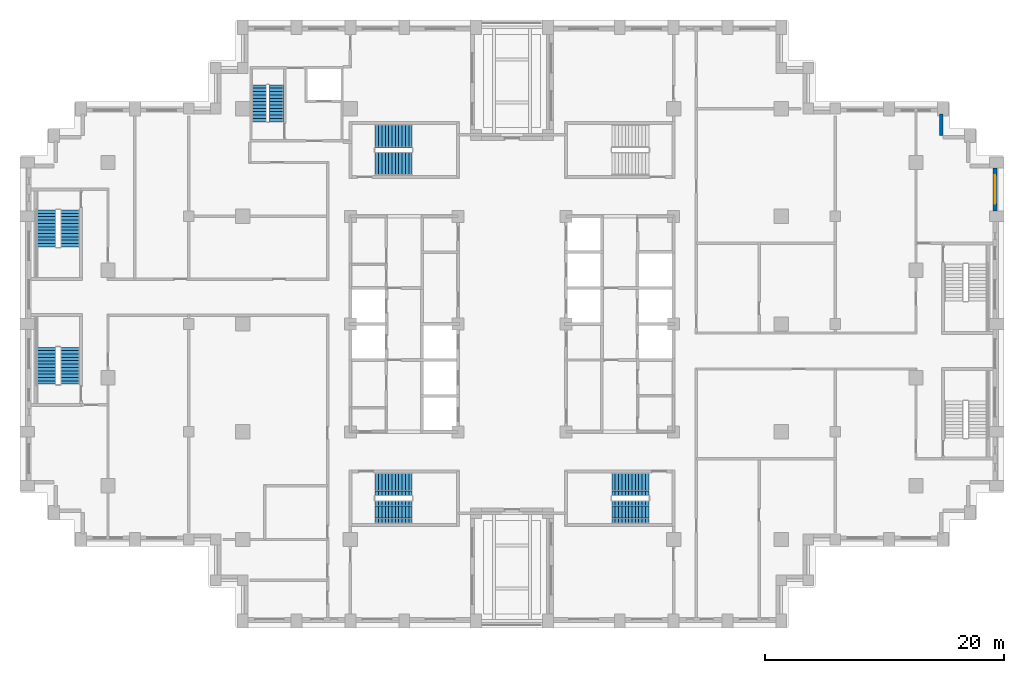
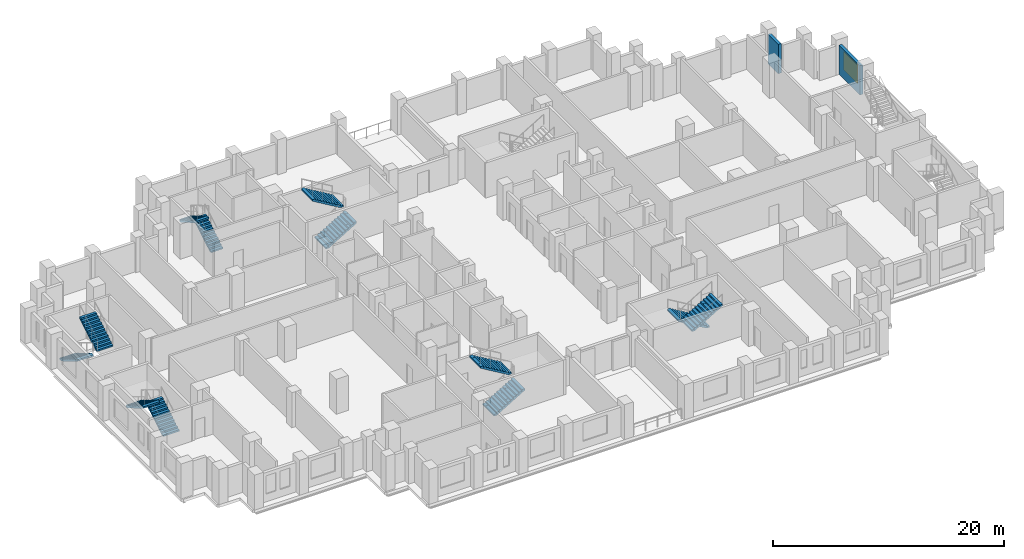
# One storey, part 10 of 13: 12 stair flights, 2 walls, 1 window, 1 opening, 6 elements without a shape of their own.
"""IFC4 building model written with IfcOpenShell, lengths in metres."""

from ifc_helpers import new_model, si_unit, direction, frame, frame_2d, origin, place, context, subcontext, project, spatial, polyline, rectangle, outline, extrude, material, layer, layer_set, type_object, element, fill, aggregate, save


model = new_model("IFC4")

# Units and contexts
model_context = context("Model", 3, precision=1e-05, world=origin(), true_north=direction((0.0, 1.0)))
body_context = subcontext(model_context, "Body", "Model", "MODEL_VIEW")
ifc_project = project(units=[si_unit("LENGTHUNIT", "METRE"), si_unit("AREAUNIT", "SQUARE_METRE"), si_unit("VOLUMEUNIT", "CUBIC_METRE"), si_unit("PLANEANGLEUNIT", "RADIAN"), si_unit("MASSUNIT", "GRAM", prefix="KILO")], contexts=[model_context])

# Site, building, storey
site_placement = place(None, origin())
site = spatial("IfcSite", under=ifc_project, at=site_placement, CompositionType="ELEMENT")
building_placement = place(site_placement, origin())
building = spatial("IfcBuilding", under=site, at=building_placement, Name="Corbelhall Arena Tower", CompositionType="ELEMENT")
storey_placement = place(building_placement, frame((0.0, 0.0, 68.0)))
storey = spatial("IfcBuildingStorey", under=building, at=storey_placement, Name="L09", CompositionType="ELEMENT", Elevation=68.0)

# Wall
ifc_material_1 = material(Name="Precast concrete C40/50 with granite facing", Category="masonry")
ifc_layer = layer(ifc_material_1, 0.300048828125)
ifc_layer_set = layer_set([ifc_layer], Name="EV-IW1 Infill panel 300")
wall_type = type_object("IfcWallType", Name="EV-IW1 Infill panel 300", PredefinedType="SOLIDWALL", material=ifc_layer_set)
wall_1_placement = place(storey_placement, frame((35.85009765625, 17.550048828125, 0.0), z_axis=(0.0, 0.0, 1.0), x_axis=(0.0, -1.0, 0.0)))
element("IfcWall", 1, at=wall_1_placement, inside=storey, type_object=wall_type, Name="Infill panel IW1", PredefinedType="SOLIDWALL", context=body_context, shape_type="SweptSolid", body=[
    extrude(rectangle(XDim=1.800048828125, YDim=0.300048828125, at=frame_2d((0.89990234375, 0.0))), origin(), (0.0, 0.0, 1.0), 3.10009765625),
])

# Wall, opening, window
wall_2_placement = place(storey_placement, frame((40.35009765625, 9.449951171875, 0.0), z_axis=(0.0, 0.0, 1.0), x_axis=(0.0, 1.0, 0.0)))
wall_2 = element("IfcWall", 2, at=wall_2_placement, inside=storey, type_object=wall_type, Name="Infill panel IW1", PredefinedType="SOLIDWALL", context=body_context, shape_type="SweptSolid", body=[
    extrude(rectangle(XDim=3.60009765625, YDim=0.300048828125, at=frame_2d((1.800048828125, 0.0))), origin(), (0.0, 0.0, 1.0), 3.10009765625),
])
opening_placement = place(wall_2_placement, frame((0.60009765625, 0.0, 0.800048828125)))
opening = element("IfcOpeningElement", 3, at=opening_placement, cuts=wall_2, Name="Opening WN1", PredefinedType="OPENING", context=body_context, shape_type="SweptSolid", body=[
    extrude(rectangle(XDim=2.39990234375, YDim=1.949951171875, at=frame_2d((1.199951171875, 0.97509765625))), frame((0.0, 0.14990234375, 0.0), z_axis=(0.0, -1.0, 0.0), x_axis=(1.0, 0.0, 0.0)), (0.0, 0.0, 1.0), 0.300048828125),
])
ifc_material_2 = material(Name="Aluminium black anodised", Category="aluminium")
window_type = type_object("IfcWindowType", Name="EV-WN1 Office window", PartitioningType="SINGLE_PANEL", PredefinedType="WINDOW", material=ifc_material_2)
window_placement = place(opening_placement, origin())
window = element("IfcWindow", 4, at=window_placement, inside=storey, type_object=window_type, Name="Window WN1", OverallHeight=1.949951171875, OverallWidth=2.39990234375, PartitioningType="SINGLE_PANEL", PredefinedType="WINDOW", context=body_context, shape_type="SweptSolid", body=[
    extrude(rectangle(XDim=2.39990234375, YDim=1.949951171875, at=frame_2d((1.199951171875, 0.97509765625))), frame((0.0, 0.030029296875, 0.0), z_axis=(0.0, -1.0, 0.0), x_axis=(1.0, 0.0, 0.0)), (0.0, 0.0, 1.0), 0.06005859375),
])
fill(opening, window)

# Stair, stair flights
ifc_material_3 = material(Name="Concrete C40/50", Category="concrete")
stair_type = type_object("IfcStairType", Name="IN-ST-TOWER", PredefinedType="HALF_TURN_STAIR", material=ifc_material_3)
stair_1_placement = place(storey_placement, origin())
stair_1 = element("IfcStair", 5, at=stair_1_placement, inside=storey, type_object=stair_type, Name="L09 Exit stair ST1", PredefinedType="HALF_TURN_STAIR")
stair_flight_type = type_object("IfcStairFlightType", Name="IN-SFL-RC", PredefinedType="STRAIGHT", material=ifc_material_3)
stair_flight_1_placement = place(storey_placement, frame((-11.425048828125, 13.39990234375, 0.0), z_axis=(0.0, 0.0, 1.0), x_axis=(1.0, 0.0, 0.0)))
stair_flight_1 = element("IfcStairFlight", 6, at=stair_flight_1_placement, type_object=stair_flight_type, Name="ST1 flight 1", NumberOfRisers=12, NumberOfTreads=11, PredefinedType="STRAIGHT", RiserHeight=0.166666667, TreadLength=0.28, context=body_context, shape_type="SweptSolid", body=[
    extrude(outline(polyline([(0.0, 0.0), (0.0, 0.166748046875), (0.280029296875, 0.166748046875), (0.280029296875, 0.333251953125), (0.56005859375, 0.333251953125), (0.56005859375, 0.5), (0.840087890625, 0.5), (0.840087890625, 0.666748046875), (1.1201171875, 0.666748046875), (1.1201171875, 0.833251953125), (1.39990234375, 0.833251953125), (1.39990234375, 1.0), (1.679931640625, 1.0), (1.679931640625, 1.166748046875), (1.9599609375, 1.166748046875), (1.9599609375, 1.333251953125), (2.239990234375, 1.333251953125), (2.239990234375, 1.5), (2.52001953125, 1.5), (2.52001953125, 1.666748046875), (2.800048828125, 1.666748046875), (2.800048828125, 1.833251953125), (3.080078125, 1.833251953125), (3.080078125, 2.0), (3.080078125, 1.658935546875), (0.29296875, 0.0), (0.0, 0.0)])), frame((0.0, 0.97509765625, 0.0), z_axis=(0.0, -1.0, 0.0), x_axis=(1.0, 0.0, 0.0)), (0.0, 0.0, 1.0), 0.449951171875),
    extrude(outline(polyline([(0.0, 0.0), (0.0, 0.166748046875), (0.280029296875, 0.166748046875), (0.280029296875, 0.333251953125), (0.56005859375, 0.333251953125), (0.56005859375, 0.5), (0.840087890625, 0.5), (0.840087890625, 0.666748046875), (1.1201171875, 0.666748046875), (1.1201171875, 0.833251953125), (1.39990234375, 0.833251953125), (1.39990234375, 1.0), (1.679931640625, 1.0), (1.679931640625, 1.166748046875), (1.9599609375, 1.166748046875), (1.9599609375, 1.333251953125), (2.239990234375, 1.333251953125), (2.239990234375, 1.5), (2.52001953125, 1.5), (2.52001953125, 1.666748046875), (2.800048828125, 1.666748046875), (2.800048828125, 1.833251953125), (3.080078125, 1.833251953125), (3.080078125, 2.0), (3.080078125, 1.658935546875), (0.29296875, 0.0), (0.0, 0.0)])), frame((0.0, 0.52099609375, 0.0), z_axis=(0.0, -1.0, 0.0), x_axis=(1.0, 0.0, 0.0)), (0.0, 0.0, 1.0), 1.0419921875),
    extrude(outline(polyline([(0.0, 0.0), (0.0, 0.166748046875), (0.280029296875, 0.166748046875), (0.280029296875, 0.333251953125), (0.56005859375, 0.333251953125), (0.56005859375, 0.5), (0.840087890625, 0.5), (0.840087890625, 0.666748046875), (1.1201171875, 0.666748046875), (1.1201171875, 0.833251953125), (1.39990234375, 0.833251953125), (1.39990234375, 1.0), (1.679931640625, 1.0), (1.679931640625, 1.166748046875), (1.9599609375, 1.166748046875), (1.9599609375, 1.333251953125), (2.239990234375, 1.333251953125), (2.239990234375, 1.5), (2.52001953125, 1.5), (2.52001953125, 1.666748046875), (2.800048828125, 1.666748046875), (2.800048828125, 1.833251953125), (3.080078125, 1.833251953125), (3.080078125, 2.0), (3.080078125, 1.658935546875), (0.29296875, 0.0), (0.0, 0.0)])), frame((0.0, -0.52490234375, 0.0), z_axis=(0.0, -1.0, 0.0), x_axis=(1.0, 0.0, 0.0)), (0.0, 0.0, 1.0), 0.449951171875),
])
stair_flight_2_placement = place(storey_placement, frame((-8.344970703125, 15.699951171875, 2.0), z_axis=(0.0, 0.0, 1.0), x_axis=(-1.0, 0.0, 0.0)))
stair_flight_2 = element("IfcStairFlight", 7, at=stair_flight_2_placement, type_object=stair_flight_type, Name="ST1 flight 2", NumberOfRisers=12, NumberOfTreads=11, PredefinedType="STRAIGHT", RiserHeight=0.166666667, TreadLength=0.28, context=body_context, shape_type="SweptSolid", body=[
    extrude(outline(polyline([(0.0, 0.0), (0.0, 0.166748046875), (0.280029296875, 0.166748046875), (0.280029296875, 0.333251953125), (0.56005859375, 0.333251953125), (0.56005859375, 0.5), (0.840087890625, 0.5), (0.840087890625, 0.666748046875), (1.1201171875, 0.666748046875), (1.1201171875, 0.833251953125), (1.39990234375, 0.833251953125), (1.39990234375, 1.0), (1.679931640625, 1.0), (1.679931640625, 1.166748046875), (1.9599609375, 1.166748046875), (1.9599609375, 1.333251953125), (2.239990234375, 1.333251953125), (2.239990234375, 1.5), (2.52001953125, 1.5), (2.52001953125, 1.666748046875), (2.800048828125, 1.666748046875), (2.800048828125, 1.833251953125), (3.080078125, 1.833251953125), (3.080078125, 2.0), (3.080078125, 1.658935546875), (0.29296875, 0.0), (0.0, 0.0)])), frame((0.0, 0.97509765625, 0.0), z_axis=(0.0, -1.0, 0.0), x_axis=(1.0, 0.0, 0.0)), (0.0, 0.0, 1.0), 0.449951171875),
    extrude(outline(polyline([(0.0, 0.0), (0.0, 0.166748046875), (0.280029296875, 0.166748046875), (0.280029296875, 0.333251953125), (0.56005859375, 0.333251953125), (0.56005859375, 0.5), (0.840087890625, 0.5), (0.840087890625, 0.666748046875), (1.1201171875, 0.666748046875), (1.1201171875, 0.833251953125), (1.39990234375, 0.833251953125), (1.39990234375, 1.0), (1.679931640625, 1.0), (1.679931640625, 1.166748046875), (1.9599609375, 1.166748046875), (1.9599609375, 1.333251953125), (2.239990234375, 1.333251953125), (2.239990234375, 1.5), (2.52001953125, 1.5), (2.52001953125, 1.666748046875), (2.800048828125, 1.666748046875), (2.800048828125, 1.833251953125), (3.080078125, 1.833251953125), (3.080078125, 2.0), (3.080078125, 1.658935546875), (0.29296875, 0.0), (0.0, 0.0)])), frame((0.0, 0.52099609375, 0.0), z_axis=(0.0, -1.0, 0.0), x_axis=(1.0, 0.0, 0.0)), (0.0, 0.0, 1.0), 1.0419921875),
    extrude(outline(polyline([(0.0, 0.0), (0.0, 0.166748046875), (0.280029296875, 0.166748046875), (0.280029296875, 0.333251953125), (0.56005859375, 0.333251953125), (0.56005859375, 0.5), (0.840087890625, 0.5), (0.840087890625, 0.666748046875), (1.1201171875, 0.666748046875), (1.1201171875, 0.833251953125), (1.39990234375, 0.833251953125), (1.39990234375, 1.0), (1.679931640625, 1.0), (1.679931640625, 1.166748046875), (1.9599609375, 1.166748046875), (1.9599609375, 1.333251953125), (2.239990234375, 1.333251953125), (2.239990234375, 1.5), (2.52001953125, 1.5), (2.52001953125, 1.666748046875), (2.800048828125, 1.666748046875), (2.800048828125, 1.833251953125), (3.080078125, 1.833251953125), (3.080078125, 2.0), (3.080078125, 1.658935546875), (0.29296875, 0.0), (0.0, 0.0)])), frame((0.0, -0.52490234375, 0.0), z_axis=(0.0, -1.0, 0.0), x_axis=(1.0, 0.0, 0.0)), (0.0, 0.0, 1.0), 0.449951171875),
])
aggregate(stair_1, [stair_flight_1, stair_flight_2])

stair_2_placement = place(storey_placement, origin())
stair_2 = element("IfcStair", 8, at=stair_2_placement, inside=storey, type_object=stair_type, Name="L09 Exit stair ST2", PredefinedType="HALF_TURN_STAIR")
stair_flight_3_placement = place(storey_placement, frame((-11.425048828125, -15.699951171875, 0.0), z_axis=(0.0, 0.0, 1.0), x_axis=(1.0, 0.0, 0.0)))
stair_flight_3 = element("IfcStairFlight", 9, at=stair_flight_3_placement, type_object=stair_flight_type, Name="ST2 flight 1", NumberOfRisers=12, NumberOfTreads=11, PredefinedType="STRAIGHT", RiserHeight=0.166666667, TreadLength=0.28, context=body_context, shape_type="SweptSolid", body=[
    extrude(outline(polyline([(0.0, 0.0), (0.0, 0.166748046875), (0.280029296875, 0.166748046875), (0.280029296875, 0.333251953125), (0.56005859375, 0.333251953125), (0.56005859375, 0.5), (0.840087890625, 0.5), (0.840087890625, 0.666748046875), (1.1201171875, 0.666748046875), (1.1201171875, 0.833251953125), (1.39990234375, 0.833251953125), (1.39990234375, 1.0), (1.679931640625, 1.0), (1.679931640625, 1.166748046875), (1.9599609375, 1.166748046875), (1.9599609375, 1.333251953125), (2.239990234375, 1.333251953125), (2.239990234375, 1.5), (2.52001953125, 1.5), (2.52001953125, 1.666748046875), (2.800048828125, 1.666748046875), (2.800048828125, 1.833251953125), (3.080078125, 1.833251953125), (3.080078125, 2.0), (3.080078125, 1.658935546875), (0.29296875, 0.0), (0.0, 0.0)])), frame((0.0, 0.97509765625, 0.0), z_axis=(0.0, -1.0, 0.0), x_axis=(1.0, 0.0, 0.0)), (0.0, 0.0, 1.0), 0.449951171875),
    extrude(outline(polyline([(0.0, 0.0), (0.0, 0.166748046875), (0.280029296875, 0.166748046875), (0.280029296875, 0.333251953125), (0.56005859375, 0.333251953125), (0.56005859375, 0.5), (0.840087890625, 0.5), (0.840087890625, 0.666748046875), (1.1201171875, 0.666748046875), (1.1201171875, 0.833251953125), (1.39990234375, 0.833251953125), (1.39990234375, 1.0), (1.679931640625, 1.0), (1.679931640625, 1.166748046875), (1.9599609375, 1.166748046875), (1.9599609375, 1.333251953125), (2.239990234375, 1.333251953125), (2.239990234375, 1.5), (2.52001953125, 1.5), (2.52001953125, 1.666748046875), (2.800048828125, 1.666748046875), (2.800048828125, 1.833251953125), (3.080078125, 1.833251953125), (3.080078125, 2.0), (3.080078125, 1.658935546875), (0.29296875, 0.0), (0.0, 0.0)])), frame((0.0, 0.52099609375, 0.0), z_axis=(0.0, -1.0, 0.0), x_axis=(1.0, 0.0, 0.0)), (0.0, 0.0, 1.0), 1.0419921875),
    extrude(outline(polyline([(0.0, 0.0), (0.0, 0.166748046875), (0.280029296875, 0.166748046875), (0.280029296875, 0.333251953125), (0.56005859375, 0.333251953125), (0.56005859375, 0.5), (0.840087890625, 0.5), (0.840087890625, 0.666748046875), (1.1201171875, 0.666748046875), (1.1201171875, 0.833251953125), (1.39990234375, 0.833251953125), (1.39990234375, 1.0), (1.679931640625, 1.0), (1.679931640625, 1.166748046875), (1.9599609375, 1.166748046875), (1.9599609375, 1.333251953125), (2.239990234375, 1.333251953125), (2.239990234375, 1.5), (2.52001953125, 1.5), (2.52001953125, 1.666748046875), (2.800048828125, 1.666748046875), (2.800048828125, 1.833251953125), (3.080078125, 1.833251953125), (3.080078125, 2.0), (3.080078125, 1.658935546875), (0.29296875, 0.0), (0.0, 0.0)])), frame((0.0, -0.52490234375, 0.0), z_axis=(0.0, -1.0, 0.0), x_axis=(1.0, 0.0, 0.0)), (0.0, 0.0, 1.0), 0.449951171875),
])
stair_flight_4_placement = place(storey_placement, frame((-8.344970703125, -13.39990234375, 2.0), z_axis=(0.0, 0.0, 1.0), x_axis=(-1.0, 0.0, 0.0)))
stair_flight_4 = element("IfcStairFlight", 10, at=stair_flight_4_placement, type_object=stair_flight_type, Name="ST2 flight 2", NumberOfRisers=12, NumberOfTreads=11, PredefinedType="STRAIGHT", RiserHeight=0.166666667, TreadLength=0.28, context=body_context, shape_type="SweptSolid", body=[
    extrude(outline(polyline([(0.0, 0.0), (0.0, 0.166748046875), (0.280029296875, 0.166748046875), (0.280029296875, 0.333251953125), (0.56005859375, 0.333251953125), (0.56005859375, 0.5), (0.840087890625, 0.5), (0.840087890625, 0.666748046875), (1.1201171875, 0.666748046875), (1.1201171875, 0.833251953125), (1.39990234375, 0.833251953125), (1.39990234375, 1.0), (1.679931640625, 1.0), (1.679931640625, 1.166748046875), (1.9599609375, 1.166748046875), (1.9599609375, 1.333251953125), (2.239990234375, 1.333251953125), (2.239990234375, 1.5), (2.52001953125, 1.5), (2.52001953125, 1.666748046875), (2.800048828125, 1.666748046875), (2.800048828125, 1.833251953125), (3.080078125, 1.833251953125), (3.080078125, 2.0), (3.080078125, 1.658935546875), (0.29296875, 0.0), (0.0, 0.0)])), frame((0.0, 0.97509765625, 0.0), z_axis=(0.0, -1.0, 0.0), x_axis=(1.0, 0.0, 0.0)), (0.0, 0.0, 1.0), 0.449951171875),
    extrude(outline(polyline([(0.0, 0.0), (0.0, 0.166748046875), (0.280029296875, 0.166748046875), (0.280029296875, 0.333251953125), (0.56005859375, 0.333251953125), (0.56005859375, 0.5), (0.840087890625, 0.5), (0.840087890625, 0.666748046875), (1.1201171875, 0.666748046875), (1.1201171875, 0.833251953125), (1.39990234375, 0.833251953125), (1.39990234375, 1.0), (1.679931640625, 1.0), (1.679931640625, 1.166748046875), (1.9599609375, 1.166748046875), (1.9599609375, 1.333251953125), (2.239990234375, 1.333251953125), (2.239990234375, 1.5), (2.52001953125, 1.5), (2.52001953125, 1.666748046875), (2.800048828125, 1.666748046875), (2.800048828125, 1.833251953125), (3.080078125, 1.833251953125), (3.080078125, 2.0), (3.080078125, 1.658935546875), (0.29296875, 0.0), (0.0, 0.0)])), frame((0.0, 0.52099609375, 0.0), z_axis=(0.0, -1.0, 0.0), x_axis=(1.0, 0.0, 0.0)), (0.0, 0.0, 1.0), 1.0419921875),
    extrude(outline(polyline([(0.0, 0.0), (0.0, 0.166748046875), (0.280029296875, 0.166748046875), (0.280029296875, 0.333251953125), (0.56005859375, 0.333251953125), (0.56005859375, 0.5), (0.840087890625, 0.5), (0.840087890625, 0.666748046875), (1.1201171875, 0.666748046875), (1.1201171875, 0.833251953125), (1.39990234375, 0.833251953125), (1.39990234375, 1.0), (1.679931640625, 1.0), (1.679931640625, 1.166748046875), (1.9599609375, 1.166748046875), (1.9599609375, 1.333251953125), (2.239990234375, 1.333251953125), (2.239990234375, 1.5), (2.52001953125, 1.5), (2.52001953125, 1.666748046875), (2.800048828125, 1.666748046875), (2.800048828125, 1.833251953125), (3.080078125, 1.833251953125), (3.080078125, 2.0), (3.080078125, 1.658935546875), (0.29296875, 0.0), (0.0, 0.0)])), frame((0.0, -0.52490234375, 0.0), z_axis=(0.0, -1.0, 0.0), x_axis=(1.0, 0.0, 0.0)), (0.0, 0.0, 1.0), 0.449951171875),
])
aggregate(stair_2, [stair_flight_3, stair_flight_4])

stair_3_placement = place(storey_placement, origin())
stair_3 = element("IfcStair", 11, at=stair_3_placement, inside=storey, type_object=stair_type, Name="L09 Exit stair ST4", PredefinedType="HALF_TURN_STAIR")
stair_flight_5_placement = place(storey_placement, frame((11.425048828125, -13.39990234375, 0.0), z_axis=(0.0, 0.0, 1.0), x_axis=(-1.0, 0.0, 0.0)))
stair_flight_5 = element("IfcStairFlight", 12, at=stair_flight_5_placement, type_object=stair_flight_type, Name="ST4 flight 1", NumberOfRisers=12, NumberOfTreads=11, PredefinedType="STRAIGHT", RiserHeight=0.166666667, TreadLength=0.28, context=body_context, shape_type="SweptSolid", body=[
    extrude(outline(polyline([(0.0, 0.0), (0.0, 0.166748046875), (0.280029296875, 0.166748046875), (0.280029296875, 0.333251953125), (0.56005859375, 0.333251953125), (0.56005859375, 0.5), (0.840087890625, 0.5), (0.840087890625, 0.666748046875), (1.1201171875, 0.666748046875), (1.1201171875, 0.833251953125), (1.39990234375, 0.833251953125), (1.39990234375, 1.0), (1.679931640625, 1.0), (1.679931640625, 1.166748046875), (1.9599609375, 1.166748046875), (1.9599609375, 1.333251953125), (2.239990234375, 1.333251953125), (2.239990234375, 1.5), (2.52001953125, 1.5), (2.52001953125, 1.666748046875), (2.800048828125, 1.666748046875), (2.800048828125, 1.833251953125), (3.080078125, 1.833251953125), (3.080078125, 2.0), (3.080078125, 1.658935546875), (0.29296875, 0.0), (0.0, 0.0)])), frame((0.0, 0.97509765625, 0.0), z_axis=(0.0, -1.0, 0.0), x_axis=(1.0, 0.0, 0.0)), (0.0, 0.0, 1.0), 0.449951171875),
    extrude(outline(polyline([(0.0, 0.0), (0.0, 0.166748046875), (0.280029296875, 0.166748046875), (0.280029296875, 0.333251953125), (0.56005859375, 0.333251953125), (0.56005859375, 0.5), (0.840087890625, 0.5), (0.840087890625, 0.666748046875), (1.1201171875, 0.666748046875), (1.1201171875, 0.833251953125), (1.39990234375, 0.833251953125), (1.39990234375, 1.0), (1.679931640625, 1.0), (1.679931640625, 1.166748046875), (1.9599609375, 1.166748046875), (1.9599609375, 1.333251953125), (2.239990234375, 1.333251953125), (2.239990234375, 1.5), (2.52001953125, 1.5), (2.52001953125, 1.666748046875), (2.800048828125, 1.666748046875), (2.800048828125, 1.833251953125), (3.080078125, 1.833251953125), (3.080078125, 2.0), (3.080078125, 1.658935546875), (0.29296875, 0.0), (0.0, 0.0)])), frame((0.0, 0.52099609375, 0.0), z_axis=(0.0, -1.0, 0.0), x_axis=(1.0, 0.0, 0.0)), (0.0, 0.0, 1.0), 1.0419921875),
    extrude(outline(polyline([(0.0, 0.0), (0.0, 0.166748046875), (0.280029296875, 0.166748046875), (0.280029296875, 0.333251953125), (0.56005859375, 0.333251953125), (0.56005859375, 0.5), (0.840087890625, 0.5), (0.840087890625, 0.666748046875), (1.1201171875, 0.666748046875), (1.1201171875, 0.833251953125), (1.39990234375, 0.833251953125), (1.39990234375, 1.0), (1.679931640625, 1.0), (1.679931640625, 1.166748046875), (1.9599609375, 1.166748046875), (1.9599609375, 1.333251953125), (2.239990234375, 1.333251953125), (2.239990234375, 1.5), (2.52001953125, 1.5), (2.52001953125, 1.666748046875), (2.800048828125, 1.666748046875), (2.800048828125, 1.833251953125), (3.080078125, 1.833251953125), (3.080078125, 2.0), (3.080078125, 1.658935546875), (0.29296875, 0.0), (0.0, 0.0)])), frame((0.0, -0.52490234375, 0.0), z_axis=(0.0, -1.0, 0.0), x_axis=(1.0, 0.0, 0.0)), (0.0, 0.0, 1.0), 0.449951171875),
])
stair_flight_6_placement = place(storey_placement, frame((8.344970703125, -15.699951171875, 2.0), z_axis=(0.0, 0.0, 1.0), x_axis=(1.0, 0.0, 0.0)))
stair_flight_6 = element("IfcStairFlight", 13, at=stair_flight_6_placement, type_object=stair_flight_type, Name="ST4 flight 2", NumberOfRisers=12, NumberOfTreads=11, PredefinedType="STRAIGHT", RiserHeight=0.166666667, TreadLength=0.28, context=body_context, shape_type="SweptSolid", body=[
    extrude(outline(polyline([(0.0, 0.0), (0.0, 0.166748046875), (0.280029296875, 0.166748046875), (0.280029296875, 0.333251953125), (0.56005859375, 0.333251953125), (0.56005859375, 0.5), (0.840087890625, 0.5), (0.840087890625, 0.666748046875), (1.1201171875, 0.666748046875), (1.1201171875, 0.833251953125), (1.39990234375, 0.833251953125), (1.39990234375, 1.0), (1.679931640625, 1.0), (1.679931640625, 1.166748046875), (1.9599609375, 1.166748046875), (1.9599609375, 1.333251953125), (2.239990234375, 1.333251953125), (2.239990234375, 1.5), (2.52001953125, 1.5), (2.52001953125, 1.666748046875), (2.800048828125, 1.666748046875), (2.800048828125, 1.833251953125), (3.080078125, 1.833251953125), (3.080078125, 2.0), (3.080078125, 1.658935546875), (0.29296875, 0.0), (0.0, 0.0)])), frame((0.0, 0.97509765625, 0.0), z_axis=(0.0, -1.0, 0.0), x_axis=(1.0, 0.0, 0.0)), (0.0, 0.0, 1.0), 0.449951171875),
    extrude(outline(polyline([(0.0, 0.0), (0.0, 0.166748046875), (0.280029296875, 0.166748046875), (0.280029296875, 0.333251953125), (0.56005859375, 0.333251953125), (0.56005859375, 0.5), (0.840087890625, 0.5), (0.840087890625, 0.666748046875), (1.1201171875, 0.666748046875), (1.1201171875, 0.833251953125), (1.39990234375, 0.833251953125), (1.39990234375, 1.0), (1.679931640625, 1.0), (1.679931640625, 1.166748046875), (1.9599609375, 1.166748046875), (1.9599609375, 1.333251953125), (2.239990234375, 1.333251953125), (2.239990234375, 1.5), (2.52001953125, 1.5), (2.52001953125, 1.666748046875), (2.800048828125, 1.666748046875), (2.800048828125, 1.833251953125), (3.080078125, 1.833251953125), (3.080078125, 2.0), (3.080078125, 1.658935546875), (0.29296875, 0.0), (0.0, 0.0)])), frame((0.0, 0.52099609375, 0.0), z_axis=(0.0, -1.0, 0.0), x_axis=(1.0, 0.0, 0.0)), (0.0, 0.0, 1.0), 1.0419921875),
    extrude(outline(polyline([(0.0, 0.0), (0.0, 0.166748046875), (0.280029296875, 0.166748046875), (0.280029296875, 0.333251953125), (0.56005859375, 0.333251953125), (0.56005859375, 0.5), (0.840087890625, 0.5), (0.840087890625, 0.666748046875), (1.1201171875, 0.666748046875), (1.1201171875, 0.833251953125), (1.39990234375, 0.833251953125), (1.39990234375, 1.0), (1.679931640625, 1.0), (1.679931640625, 1.166748046875), (1.9599609375, 1.166748046875), (1.9599609375, 1.333251953125), (2.239990234375, 1.333251953125), (2.239990234375, 1.5), (2.52001953125, 1.5), (2.52001953125, 1.666748046875), (2.800048828125, 1.666748046875), (2.800048828125, 1.833251953125), (3.080078125, 1.833251953125), (3.080078125, 2.0), (3.080078125, 1.658935546875), (0.29296875, 0.0), (0.0, 0.0)])), frame((0.0, -0.52490234375, 0.0), z_axis=(0.0, -1.0, 0.0), x_axis=(1.0, 0.0, 0.0)), (0.0, 0.0, 1.0), 0.449951171875),
])
aggregate(stair_3, [stair_flight_5, stair_flight_6])

stair_4_placement = place(storey_placement, origin())
stair_4 = element("IfcStair", 14, at=stair_4_placement, inside=storey, type_object=stair_type, Name="L09 Exit stair SC1", PredefinedType="HALF_TURN_STAIR")
stair_flight_7_placement = place(storey_placement, frame((-38.89990234375, 9.52490234375, 0.0), z_axis=(0.0, 0.0, 1.0), x_axis=(0.0, -1.0, 0.0)))
stair_flight_7 = element("IfcStairFlight", 15, at=stair_flight_7_placement, type_object=stair_flight_type, Name="SC1 flight 1", NumberOfRisers=12, NumberOfTreads=11, PredefinedType="STRAIGHT", RiserHeight=0.166666667, TreadLength=0.28, context=body_context, shape_type="SweptSolid", body=[
    extrude(outline(polyline([(0.0, 0.0), (0.0, 0.166748046875), (0.280029296875, 0.166748046875), (0.280029296875, 0.333251953125), (0.56005859375, 0.333251953125), (0.56005859375, 0.5), (0.840087890625, 0.5), (0.840087890625, 0.666748046875), (1.1201171875, 0.666748046875), (1.1201171875, 0.833251953125), (1.39990234375, 0.833251953125), (1.39990234375, 1.0), (1.679931640625, 1.0), (1.679931640625, 1.166748046875), (1.9599609375, 1.166748046875), (1.9599609375, 1.333251953125), (2.239990234375, 1.333251953125), (2.239990234375, 1.5), (2.52001953125, 1.5), (2.52001953125, 1.666748046875), (2.800048828125, 1.666748046875), (2.800048828125, 1.833251953125), (3.080078125, 1.833251953125), (3.080078125, 2.0), (3.080078125, 1.658935546875), (0.29296875, 0.0), (0.0, 0.0)])), frame((0.0, 0.800048828125, 0.0), z_axis=(0.0, -1.0, 0.0), x_axis=(1.0, 0.0, 0.0)), (0.0, 0.0, 1.0), 1.60009765625),
])
stair_flight_8_placement = place(storey_placement, frame((-36.925048828125, 6.445068359375, 2.0), z_axis=(0.0, 0.0, 1.0), x_axis=(0.0, 1.0, 0.0)))
stair_flight_8 = element("IfcStairFlight", 16, at=stair_flight_8_placement, type_object=stair_flight_type, Name="SC1 flight 2", NumberOfRisers=12, NumberOfTreads=11, PredefinedType="STRAIGHT", RiserHeight=0.166666667, TreadLength=0.28, context=body_context, shape_type="SweptSolid", body=[
    extrude(outline(polyline([(0.0, 0.0), (0.0, 0.166748046875), (0.280029296875, 0.166748046875), (0.280029296875, 0.333251953125), (0.56005859375, 0.333251953125), (0.56005859375, 0.5), (0.840087890625, 0.5), (0.840087890625, 0.666748046875), (1.1201171875, 0.666748046875), (1.1201171875, 0.833251953125), (1.39990234375, 0.833251953125), (1.39990234375, 1.0), (1.679931640625, 1.0), (1.679931640625, 1.166748046875), (1.9599609375, 1.166748046875), (1.9599609375, 1.333251953125), (2.239990234375, 1.333251953125), (2.239990234375, 1.5), (2.52001953125, 1.5), (2.52001953125, 1.666748046875), (2.800048828125, 1.666748046875), (2.800048828125, 1.833251953125), (3.080078125, 1.833251953125), (3.080078125, 2.0), (3.080078125, 1.658935546875), (0.29296875, 0.0), (0.0, 0.0)])), frame((0.0, 0.800048828125, 0.0), z_axis=(0.0, -1.0, 0.0), x_axis=(1.0, 0.0, 0.0)), (0.0, 0.0, 1.0), 1.60009765625),
])
aggregate(stair_4, [stair_flight_7, stair_flight_8])

stair_5_placement = place(storey_placement, origin())
stair_5 = element("IfcStair", 17, at=stair_5_placement, inside=storey, type_object=stair_type, Name="L09 Exit stair SC2", PredefinedType="HALF_TURN_STAIR")
stair_flight_9_placement = place(storey_placement, frame((-36.925048828125, -5.02490234375, 0.0), z_axis=(0.0, 0.0, 1.0), x_axis=(0.0, 1.0, 0.0)))
stair_flight_9 = element("IfcStairFlight", 18, at=stair_flight_9_placement, type_object=stair_flight_type, Name="SC2 flight 1", NumberOfRisers=12, NumberOfTreads=11, PredefinedType="STRAIGHT", RiserHeight=0.166666667, TreadLength=0.28, context=body_context, shape_type="SweptSolid", body=[
    extrude(outline(polyline([(0.0, 0.0), (0.0, 0.166748046875), (0.280029296875, 0.166748046875), (0.280029296875, 0.333251953125), (0.56005859375, 0.333251953125), (0.56005859375, 0.5), (0.840087890625, 0.5), (0.840087890625, 0.666748046875), (1.1201171875, 0.666748046875), (1.1201171875, 0.833251953125), (1.39990234375, 0.833251953125), (1.39990234375, 1.0), (1.679931640625, 1.0), (1.679931640625, 1.166748046875), (1.9599609375, 1.166748046875), (1.9599609375, 1.333251953125), (2.239990234375, 1.333251953125), (2.239990234375, 1.5), (2.52001953125, 1.5), (2.52001953125, 1.666748046875), (2.800048828125, 1.666748046875), (2.800048828125, 1.833251953125), (3.080078125, 1.833251953125), (3.080078125, 2.0), (3.080078125, 1.658935546875), (0.29296875, 0.0), (0.0, 0.0)])), frame((0.0, 0.800048828125, 0.0), z_axis=(0.0, -1.0, 0.0), x_axis=(1.0, 0.0, 0.0)), (0.0, 0.0, 1.0), 1.60009765625),
])
stair_flight_10_placement = place(storey_placement, frame((-38.89990234375, -1.945068359375, 2.0), z_axis=(0.0, 0.0, 1.0), x_axis=(0.0, -1.0, 0.0)))
stair_flight_10 = element("IfcStairFlight", 19, at=stair_flight_10_placement, type_object=stair_flight_type, Name="SC2 flight 2", NumberOfRisers=12, NumberOfTreads=11, PredefinedType="STRAIGHT", RiserHeight=0.166666667, TreadLength=0.28, context=body_context, shape_type="SweptSolid", body=[
    extrude(outline(polyline([(0.0, 0.0), (0.0, 0.166748046875), (0.280029296875, 0.166748046875), (0.280029296875, 0.333251953125), (0.56005859375, 0.333251953125), (0.56005859375, 0.5), (0.840087890625, 0.5), (0.840087890625, 0.666748046875), (1.1201171875, 0.666748046875), (1.1201171875, 0.833251953125), (1.39990234375, 0.833251953125), (1.39990234375, 1.0), (1.679931640625, 1.0), (1.679931640625, 1.166748046875), (1.9599609375, 1.166748046875), (1.9599609375, 1.333251953125), (2.239990234375, 1.333251953125), (2.239990234375, 1.5), (2.52001953125, 1.5), (2.52001953125, 1.666748046875), (2.800048828125, 1.666748046875), (2.800048828125, 1.833251953125), (3.080078125, 1.833251953125), (3.080078125, 2.0), (3.080078125, 1.658935546875), (0.29296875, 0.0), (0.0, 0.0)])), frame((0.0, 0.800048828125, 0.0), z_axis=(0.0, -1.0, 0.0), x_axis=(1.0, 0.0, 0.0)), (0.0, 0.0, 1.0), 1.60009765625),
])
aggregate(stair_5, [stair_flight_9, stair_flight_10])

stair_6_placement = place(storey_placement, origin())
stair_6 = element("IfcStair", 20, at=stair_6_placement, inside=storey, type_object=stair_type, Name="L09 Exit stair ST5", PredefinedType="HALF_TURN_STAIR")
stair_flight_11_placement = place(storey_placement, frame((-19.695068359375, 16.89990234375, 0.0), z_axis=(0.0, 0.0, 1.0), x_axis=(0.0, 1.0, 0.0)))
stair_flight_11 = element("IfcStairFlight", 21, at=stair_flight_11_placement, type_object=stair_flight_type, Name="ST5 flight 1", NumberOfRisers=12, NumberOfTreads=11, PredefinedType="STRAIGHT", RiserHeight=0.166666667, TreadLength=0.28, context=body_context, shape_type="SweptSolid", body=[
    extrude(outline(polyline([(0.0, 0.0), (0.0, 0.166748046875), (0.280029296875, 0.166748046875), (0.280029296875, 0.333251953125), (0.56005859375, 0.333251953125), (0.56005859375, 0.5), (0.840087890625, 0.5), (0.840087890625, 0.666748046875), (1.1201171875, 0.666748046875), (1.1201171875, 0.833251953125), (1.39990234375, 0.833251953125), (1.39990234375, 1.0), (1.679931640625, 1.0), (1.679931640625, 1.166748046875), (1.9599609375, 1.166748046875), (1.9599609375, 1.333251953125), (2.239990234375, 1.333251953125), (2.239990234375, 1.5), (2.52001953125, 1.5), (2.52001953125, 1.666748046875), (2.800048828125, 1.666748046875), (2.800048828125, 1.833251953125), (3.080078125, 1.833251953125), (3.080078125, 2.0), (3.080078125, 1.658935546875), (0.29296875, 0.0), (0.0, 0.0)])), frame((0.0, 0.60009765625, 0.0), z_axis=(0.0, -1.0, 0.0), x_axis=(1.0, 0.0, 0.0)), (0.0, 0.0, 1.0), 1.199951171875),
])
stair_flight_12_placement = place(storey_placement, frame((-21.094970703125, 19.97998046875, 2.0), z_axis=(0.0, 0.0, 1.0), x_axis=(0.0, -1.0, 0.0)))
stair_flight_12 = element("IfcStairFlight", 22, at=stair_flight_12_placement, type_object=stair_flight_type, Name="ST5 flight 2", NumberOfRisers=12, NumberOfTreads=11, PredefinedType="STRAIGHT", RiserHeight=0.166666667, TreadLength=0.28, context=body_context, shape_type="SweptSolid", body=[
    extrude(outline(polyline([(0.0, 0.0), (0.0, 0.166748046875), (0.280029296875, 0.166748046875), (0.280029296875, 0.333251953125), (0.56005859375, 0.333251953125), (0.56005859375, 0.5), (0.840087890625, 0.5), (0.840087890625, 0.666748046875), (1.1201171875, 0.666748046875), (1.1201171875, 0.833251953125), (1.39990234375, 0.833251953125), (1.39990234375, 1.0), (1.679931640625, 1.0), (1.679931640625, 1.166748046875), (1.9599609375, 1.166748046875), (1.9599609375, 1.333251953125), (2.239990234375, 1.333251953125), (2.239990234375, 1.5), (2.52001953125, 1.5), (2.52001953125, 1.666748046875), (2.800048828125, 1.666748046875), (2.800048828125, 1.833251953125), (3.080078125, 1.833251953125), (3.080078125, 2.0), (3.080078125, 1.658935546875), (0.29296875, 0.0), (0.0, 0.0)])), frame((0.0, 0.60009765625, 0.0), z_axis=(0.0, -1.0, 0.0), x_axis=(1.0, 0.0, 0.0)), (0.0, 0.0, 1.0), 1.199951171875),
])
aggregate(stair_6, [stair_flight_11, stair_flight_12])

save(model, "model.ifc")
